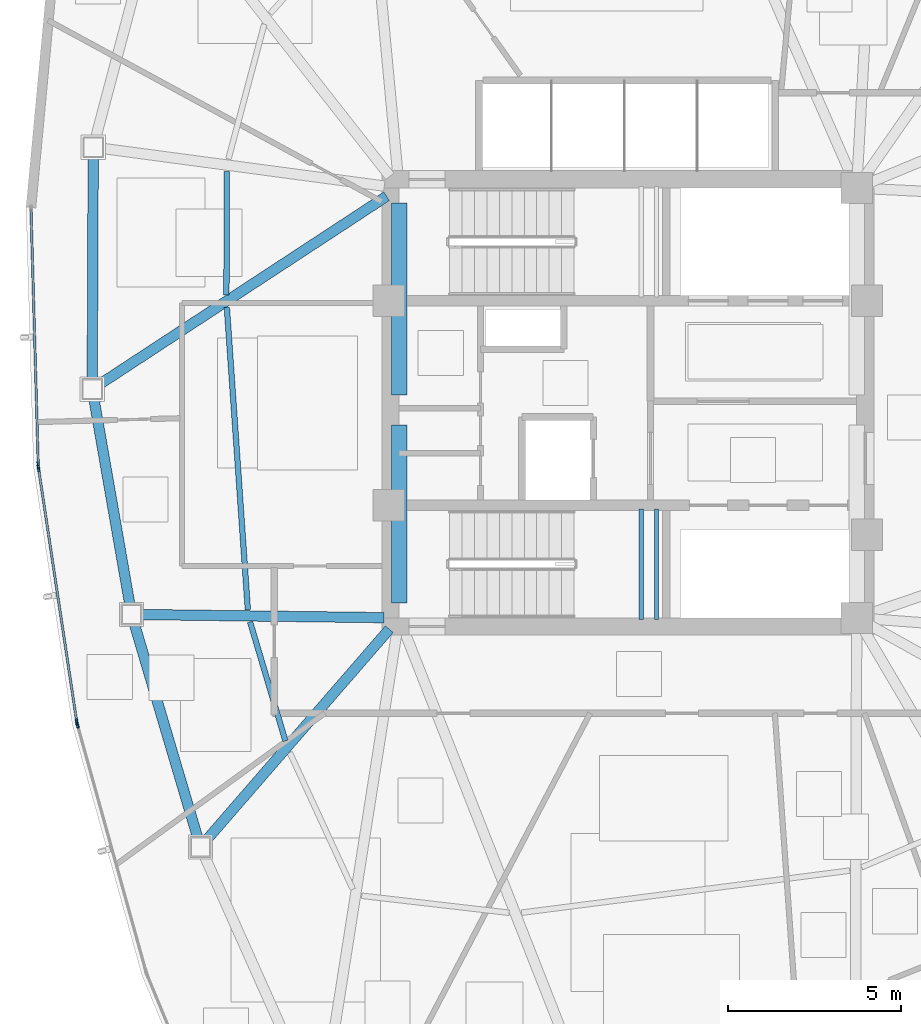
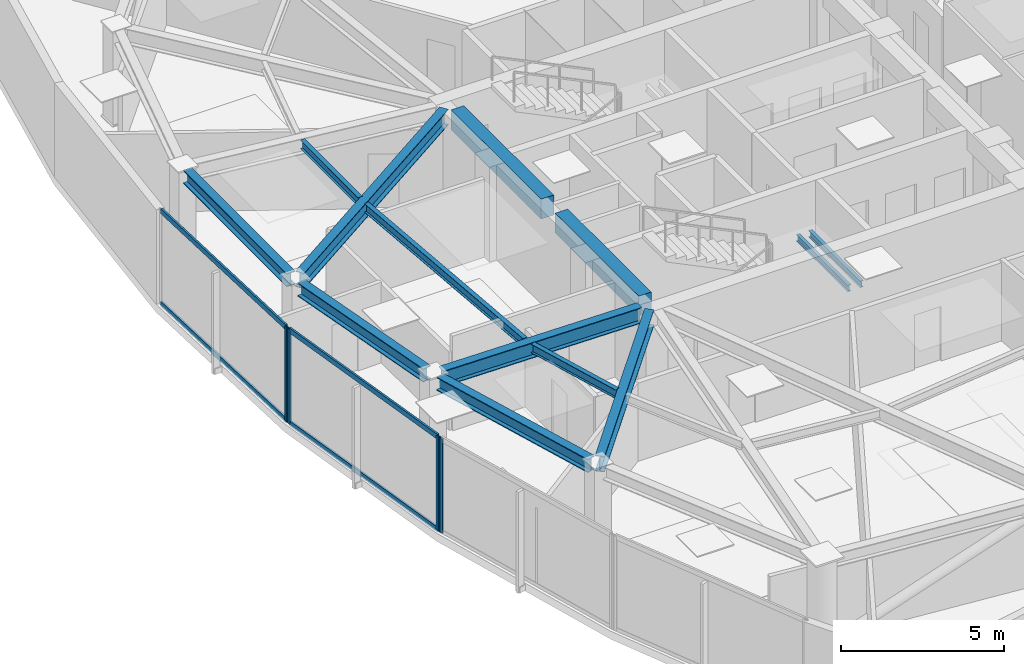
# One storey, part 4 of 18: 13 beams, 8 members, 3 elements without a shape of their own.
"""IFC4 building model written with IfcOpenShell, lengths in metres."""

import ifcopenshell
import ifcopenshell.guid

model = None  # the IFC model being written
_history = None  # IfcOwnerHistory: only IFC2X3 demands one
_inside = {}  # id of a spatial element -> (the spatial element, [elements in it])
_under = {}  # id of a project, library or spatial element -> (it, [spatial elements below it])
_declared = {}  # id of a project -> (the project, [libraries it declares])
_typed = {}  # id of a type object -> (the type object, [elements of that type])
_made_of = {}  # id of a material, layer set ... -> (it, [elements and type objects made of it])


def new_model(schema):
    """Start an empty IFC model of exactly this schema.

    Asked for "IFC4X3", IfcOpenShell would pick the latest addendum, in which some entities
    have other attributes; the version numbers below select the first issue.
    IFC2X3 requires an IfcOwnerHistory on every rooted entity: one is made here for all.
    """
    global model, _history
    if schema == "IFC4X3":
        model = ifcopenshell.file(schema_version=(4, 3, 0, 0))
    else:
        model = ifcopenshell.file(schema=schema)
    _inside.clear()
    _under.clear()
    _declared.clear()
    _typed.clear()
    _made_of.clear()
    _history = None
    if model.schema == "IFC2X3":
        org = make("IfcOrganization", Name="unknown")
        user = make(
            "IfcPersonAndOrganization",
            ThePerson=make("IfcPerson", FamilyName="unknown"),
            TheOrganization=org,
        )
        app = make(
            "IfcApplication",
            ApplicationDeveloper=org,
            Version="unknown",
            ApplicationFullName="unknown",
            ApplicationIdentifier="unknown",
        )
        _history = make(
            "IfcOwnerHistory",
            OwningUser=user,
            OwningApplication=app,
            ChangeAction="ADDED",
            CreationDate=0,
        )
    return model


def make(cls, **values):
    """One entity of the class cls with the attributes given. An attribute that is None is left unset."""
    return model.create_entity(
        cls, **{name: value for name, value in values.items() if value is not None}
    )


def rooted(cls, **values):
    """An entity with a GlobalId (a new one), such as an element, a storey or a relation."""
    return make(cls, GlobalId=ifcopenshell.guid.new(), OwnerHistory=_history, **values)


def si_unit(unit_type, name, prefix=None):
    """IfcSIUnit, for example si_unit("LENGTHUNIT", "METRE", prefix="MILLI")."""
    return make("IfcSIUnit", UnitType=unit_type, Prefix=prefix, Name=name)


def assignment(units):
    """IfcUnitAssignment: the units of a project."""
    return None if units is None else make("IfcUnitAssignment", Units=units)


def point(xyz):
    """IfcCartesianPoint."""
    return None if xyz is None else make("IfcCartesianPoint", Coordinates=xyz)


def direction(xyz):
    """IfcDirection."""
    return None if xyz is None else make("IfcDirection", DirectionRatios=xyz)


def frame(location, z_axis=None, x_axis=None):
    """IfcAxis2Placement3D, a coordinate frame: its origin and axes. An axis left out is left unset."""
    return make(
        "IfcAxis2Placement3D",
        Location=point(location),
        Axis=direction(z_axis),
        RefDirection=direction(x_axis),
    )


def frame_2d(location, x_axis=None):
    """IfcAxis2Placement2D, a coordinate frame in the plane: its origin and x axis."""
    return make(
        "IfcAxis2Placement2D", Location=point(location), RefDirection=direction(x_axis)
    )


def origin():
    """The frame at (0, 0, 0) with its axes left unset."""
    return frame((0.0, 0.0, 0.0))


def origin_2d():
    """The frame at (0, 0) in the plane with its x axis left unset."""
    return frame_2d((0.0, 0.0))


def place(relative_to, where):
    """IfcLocalPlacement: puts the frame where relative to a parent placement (None: the world)."""
    return make(
        "IfcLocalPlacement", PlacementRelTo=relative_to, RelativePlacement=where
    )


def context(
    kind, dimensions, precision=None, world=None, true_north=None, identifier=None
):
    """IfcGeometricRepresentationContext, for example the 3D "Model" context."""
    return make(
        "IfcGeometricRepresentationContext",
        ContextIdentifier=identifier,
        ContextType=kind,
        CoordinateSpaceDimension=dimensions,
        Precision=precision,
        WorldCoordinateSystem=world,
        TrueNorth=true_north,
    )


def subcontext(parent, identifier, kind, view, scale=None):
    """IfcGeometricRepresentationSubContext, for example "Body" below "Model"."""
    return make(
        "IfcGeometricRepresentationSubContext",
        ContextIdentifier=identifier,
        ContextType=kind,
        ParentContext=parent,
        TargetScale=scale,
        TargetView=view,
    )


def project(units=None, contexts=None):
    """IfcProject with its units and contexts."""
    return rooted(
        "IfcProject",
        Name="project",
        RepresentationContexts=contexts,
        UnitsInContext=assignment(units),
    )


def spatial(cls, under=None, at=None, **own):
    """A site, building, storey or space (cls), placed at a placement, below another one or the project."""
    s = rooted(cls, ObjectPlacement=at, **own)
    if under is not None:
        _under.setdefault(under.id(), (under, []))[1].append(s)
    return s


def profile(cls, at=None, kind="AREA", **sizes):
    """A parametric profile (cls). Its sizes go by their IFC names, for example OverallWidth=200.0."""
    return make(cls, ProfileType=kind, Position=at, **sizes)


def rectangle(**sizes):
    """IfcRectangleProfileDef."""
    return profile("IfcRectangleProfileDef", **sizes)


def hollow_rectangle(**sizes):
    """IfcRectangleHollowProfileDef."""
    return profile("IfcRectangleHollowProfileDef", **sizes)


def i_section(**sizes):
    """IfcIShapeProfileDef."""
    return profile("IfcIShapeProfileDef", **sizes)


def extrude(swept, where, along, depth):
    """IfcExtrudedAreaSolid: the profile swept, set in the frame where, extruded along a direction by depth."""
    return make(
        "IfcExtrudedAreaSolid",
        SweptArea=swept,
        Position=where,
        ExtrudedDirection=direction(along),
        Depth=depth,
    )


def shape(context_of_items, identifier, shape_type, items):
    """IfcShapeRepresentation: the items that make up one representation, for example the "Body"."""
    return make(
        "IfcShapeRepresentation",
        ContextOfItems=context_of_items,
        RepresentationIdentifier=identifier,
        RepresentationType=shape_type,
        Items=items,
    )


def source(mapping_origin, context_of_items, identifier, shape_type, items):
    """IfcRepresentationMap: a shape defined once, which mapped items show again and again."""
    return make(
        "IfcRepresentationMap",
        MappingOrigin=mapping_origin,
        MappedRepresentation=shape(context_of_items, identifier, shape_type, items),
    )


def transform(
    local_origin,
    x_axis=None,
    y_axis=None,
    z_axis=None,
    scale=None,
    scale2=None,
    scale3=None,
    uniform=True,
):
    """IfcCartesianTransformationOperator3D, or its non-uniform kind. x_axis, y_axis, z_axis: its Axis1, 2, 3."""
    if uniform:
        return make(
            "IfcCartesianTransformationOperator3D",
            Axis1=direction(x_axis),
            Axis2=direction(y_axis),
            LocalOrigin=point(local_origin),
            Scale=scale,
            Axis3=direction(z_axis),
        )
    return make(
        "IfcCartesianTransformationOperator3DnonUniform",
        Axis1=direction(x_axis),
        Axis2=direction(y_axis),
        LocalOrigin=point(local_origin),
        Scale=scale,
        Axis3=direction(z_axis),
        Scale2=scale2,
        Scale3=scale3,
    )


def mapped(mapping_source, mapping_target):
    """IfcMappedItem: shows the shape of a source again, moved by a transform."""
    return make(
        "IfcMappedItem", MappingSource=mapping_source, MappingTarget=mapping_target
    )


def material(Name=None, Category=None):
    """IfcMaterial."""
    return make("IfcMaterial", Name=Name, Category=Category)


def layer(
    of_material, thickness, ventilated=None, Name=None, Category=None, Priority=None
):
    """IfcMaterialLayer: one layer of a wall or slab, of a material (None: an air gap)."""
    return make(
        "IfcMaterialLayer",
        Material=of_material,
        LayerThickness=thickness,
        IsVentilated=ventilated,
        Name=Name,
        Category=Category,
        Priority=Priority,
    )


def layer_set(layers, Name=None):
    """IfcMaterialLayerSet."""
    return make("IfcMaterialLayerSet", MaterialLayers=layers, LayerSetName=Name)


def material_profile(
    of_material, cross_section, Name=None, Category=None, Priority=None
):
    """IfcMaterialProfile: a cross section and its material."""
    return make(
        "IfcMaterialProfile",
        Name=Name,
        Material=of_material,
        Profile=cross_section,
        Priority=Priority,
        Category=Category,
    )


def profile_set(profiles, Name=None, composite=None):
    """IfcMaterialProfileSet."""
    return make(
        "IfcMaterialProfileSet",
        Name=Name,
        MaterialProfiles=profiles,
        CompositeProfile=composite,
    )


def made_of(thing, what):
    """Note that an element or type object is made of a material, layer set ...; save() writes the relation."""
    if what is not None:
        _made_of.setdefault(what.id(), (what, []))[1].append(thing)
    return thing


def type_object(cls, material=None, **own):
    """A type object (cls), such as IfcWallType, which elements share."""
    return made_of(rooted(cls, **own), material)


def type_shapes(of_type, sources):
    """Give a type object the sources (RepresentationMaps) that its elements show as mapped items."""
    of_type.RepresentationMaps = sources


def element(
    cls,
    number,
    at=None,
    inside=None,
    cuts=None,
    type_object=None,
    material=None,
    context=None,
    identifier="Body",
    shape_type=None,
    held_by="IfcProductDefinitionShape",
    body=None,
    shapes=None,
    **own,
):
    """One element of the class cls, such as IfcWall. Its Tag is "e" and its number.

    at: its placement. inside: the storey or other place that contains it. cuts: it is an
    opening in that element (IfcRelVoidsElement). A single representation is given by context,
    identifier, shape_type and body (its items); several are given by shapes. held_by: the class
    of the entity that holds the representations. save() writes the other relations.
    """
    e = rooted(cls, Tag="e%d" % number, ObjectPlacement=at, **own)
    if body is not None:
        shapes = [shape(context, identifier, shape_type, body)]
    if shapes is not None:
        e.Representation = make(held_by, Representations=shapes)
    if inside is not None:
        _inside.setdefault(inside.id(), (inside, []))[1].append(e)
    if cuts is not None:
        rooted(
            "IfcRelVoidsElement", RelatingBuildingElement=cuts, RelatedOpeningElement=e
        )
    if type_object is not None:
        _typed.setdefault(type_object.id(), (type_object, []))[1].append(e)
    return made_of(e, material)


def aggregate(whole, parts):
    """IfcRelAggregates: a whole, such as a stair, and the parts it consists of."""
    return rooted("IfcRelAggregates", RelatingObject=whole, RelatedObjects=parts)


def save(model, path):
    """Write the relations noted so far, then the file.

    IfcRelAggregates (storeys below a building ...), IfcRelContainedInSpatialStructure (elements
    in a storey), IfcRelDefinesByType, IfcRelAssociatesMaterial and IfcRelDeclares: one each for
    every whole, place, type object, material and project.
    """
    for whole, parts in _under.values():
        aggregate(whole, parts)
    for where, things in _inside.values():
        rooted(
            "IfcRelContainedInSpatialStructure",
            RelatedElements=things,
            RelatingStructure=where,
        )
    for kind, things in _typed.values():
        rooted("IfcRelDefinesByType", RelatedObjects=things, RelatingType=kind)
    for what, things in _made_of.values():
        rooted("IfcRelAssociatesMaterial", RelatedObjects=things, RelatingMaterial=what)
    for by, libraries in _declared.values():
        rooted("IfcRelDeclares", RelatingContext=by, RelatedDefinitions=libraries)
    model.write(path)


model = new_model("IFC4")

# Units and contexts
model_context = context("Model", 3, precision=1e-05, world=origin(), true_north=direction((0.0, 1.0)))
body_context = subcontext(model_context, "Body", "Model", "MODEL_VIEW")
ifc_project = project(units=[si_unit("LENGTHUNIT", "METRE"), si_unit("AREAUNIT", "SQUARE_METRE"), si_unit("VOLUMEUNIT", "CUBIC_METRE"), si_unit("PLANEANGLEUNIT", "RADIAN"), si_unit("MASSUNIT", "GRAM", prefix="KILO")], contexts=[model_context])

# Site, building, storey
site_placement = place(None, origin())
site = spatial("IfcSite", under=ifc_project, at=site_placement, CompositionType="ELEMENT")
building_placement = place(site_placement, origin())
building = spatial("IfcBuilding", under=site, at=building_placement, Name="Tavelor Broadcast Tower", CompositionType="ELEMENT")
storey_placement = place(building_placement, frame((0.0, 0.0, 181.050048828125)))
storey = spatial("IfcBuildingStorey", under=building, at=storey_placement, Name="L43", CompositionType="ELEMENT", Elevation=181.050048828125)

# Beams
ifc_material_1 = material(Name="Concrete C40/50", Category="concrete")
ifc_material_profile_1 = material_profile(ifc_material_1, rectangle(XDim=0.449951171875, YDim=0.75, at=origin_2d()), Name="RC 450x750")
ifc_profile_set_1 = profile_set([ifc_material_profile_1], Name="Concrete C40/50")
beam_type_1 = type_object("IfcBeamType", Name="Basement Core Trim Beam 450x750", PredefinedType="BEAM", material=ifc_profile_set_1)
beam_1_placement = place(storey_placement, frame((43.39990234375, 45.23193359375, 3.175048828125), z_axis=(0.0, 1.0, 0.0), x_axis=(-1.0, 0.0, 0.0)))
element("IfcBeam", 1, at=beam_1_placement, inside=storey, type_object=beam_type_1, Name="L43 Core West-N Tie Girder", PredefinedType="BEAM", context=body_context, shape_type="SweptSolid", body=[
    extrude(rectangle(XDim=0.449951171875, YDim=0.75, at=origin_2d()), origin(), (0.0, 0.0, 1.0), 5.5361328125),
])
beam_2_placement = place(storey_placement, frame((43.39990234375, 39.23193359375, 3.175048828125), z_axis=(0.0, 1.0, 0.0), x_axis=(-1.0, 0.0, 0.0)))
element("IfcBeam", 2, at=beam_2_placement, inside=storey, type_object=beam_type_1, Name="L43 Core West-S Tie Girder", PredefinedType="BEAM", context=body_context, shape_type="SweptSolid", body=[
    extrude(rectangle(XDim=0.449951171875, YDim=0.75, at=origin_2d()), origin(), (0.0, 0.0, 1.0), 5.135986328125),
])
ifc_material_2 = material(Name="Steel S355", Category="steel")
ifc_material_profile_2 = material_profile(ifc_material_2, i_section(OverallWidth=0.159912109375, OverallDepth=0.330078125, WebThickness=0.007568359375, FlangeThickness=0.011474609375, at=origin_2d()), Name="IPE 330")
ifc_profile_set_2 = profile_set([ifc_material_profile_2], Name="Steel S355")
beam_type_2 = type_object("IfcBeamType", Name="Composite Floor Joist T4 IPE 330", PredefinedType="JOIST", material=ifc_profile_set_2)
beam_3_placement = place(storey_placement, frame((38.428955078125, 51.68310546875, 3.385009765625), z_axis=(-0.002943579799, -0.99999566766, 0.0), x_axis=(0.99999566766, -0.002943579799, 0.0)))
element("IfcBeam", 3, at=beam_3_placement, inside=storey, type_object=beam_type_2, Name="L43 Secondary Composite Floor Joist 03", PredefinedType="JOIST", context=body_context, shape_type="SweptSolid", body=[
    extrude(i_section(OverallWidth=0.159912109375, OverallDepth=0.330078125, WebThickness=0.007568359375, FlangeThickness=0.011474609375, at=origin_2d()), origin(), (0.0, 0.0, 1.0), 3.56640625),
])
beam_4_placement = place(storey_placement, frame((38.430419921875, 47.755126953125, 3.385009765625), z_axis=(0.069281460066, -0.997597152808, 0.0), x_axis=(0.997597152808, 0.069281460066, 0.0)))
element("IfcBeam", 4, at=beam_4_placement, inside=storey, type_object=beam_type_2, Name="L43 Secondary Composite Floor Joist 04", PredefinedType="JOIST", context=body_context, shape_type="SweptSolid", body=[
    extrude(i_section(OverallWidth=0.159912109375, OverallDepth=0.330078125, WebThickness=0.007568359375, FlangeThickness=0.011474609375, at=origin_2d()), origin(), (0.0, 0.0, 1.0), 8.7392578125),
])
beam_5_placement = place(storey_placement, frame((39.10009765625, 38.682861328125, 3.385009765625), z_axis=(0.284738295298, -0.958605290613, 0.0), x_axis=(0.958605290613, 0.284738295298, 0.0)))
element("IfcBeam", 5, at=beam_5_placement, inside=storey, type_object=beam_type_2, Name="L43 Secondary Composite Floor Joist 05", PredefinedType="JOIST", context=body_context, shape_type="SweptSolid", body=[
    extrude(i_section(OverallWidth=0.159912109375, OverallDepth=0.330078125, WebThickness=0.007568359375, FlangeThickness=0.011474609375, at=origin_2d()), origin(), (0.0, 0.0, 1.0), 3.58056640625),
])
ifc_material_profile_3 = material_profile(ifc_material_2, i_section(OverallWidth=0.300048828125, OverallDepth=0.5, WebThickness=0.014404296875, FlangeThickness=0.028076171875, at=origin_2d()), Name="HEB 500")
ifc_profile_set_3 = profile_set([ifc_material_profile_3], Name="Steel S355")
beam_type_3 = type_object("IfcBeamType", Name="Perimeter Spandrel Beam T4 HEB 500", PredefinedType="SPANDREL", material=ifc_profile_set_3)
beam_6_placement = place(storey_placement, frame((34.573974609375, 52.09130859375, 3.300048828125), z_axis=(-0.004117073981, -0.999991524815, 0.0), x_axis=(0.999991524815, -0.004117073981, 0.0)))
element("IfcBeam", 6, at=beam_6_placement, inside=storey, type_object=beam_type_3, Name="L43 Framed-Tube Ring Spandrel 03", PredefinedType="SPANDREL", context=body_context, shape_type="SweptSolid", body=[
    extrude(i_section(OverallWidth=0.300048828125, OverallDepth=0.5, WebThickness=0.014404296875, FlangeThickness=0.028076171875, at=origin_2d()), origin(), (0.0, 0.0, 1.0), 6.404296875),
])
beam_7_placement = place(storey_placement, frame((34.595947265625, 45.115478515625, 3.300048828125), z_axis=(0.171987908601, -0.985099060651, 0.0), x_axis=(0.985099060651, 0.171987908601, 0.0)))
element("IfcBeam", 7, at=beam_7_placement, inside=storey, type_object=beam_type_3, Name="L43 Framed-Tube Ring Spandrel 04", PredefinedType="SPANDREL", context=body_context, shape_type="SweptSolid", body=[
    extrude(i_section(OverallWidth=0.300048828125, OverallDepth=0.5, WebThickness=0.014404296875, FlangeThickness=0.028076171875, at=origin_2d()), origin(), (0.0, 0.0, 1.0), 6.021728515625),
])
beam_8_placement = place(storey_placement, frame((35.7626953125, 38.623779296875, 3.300048828125), z_axis=(0.283962764381, -0.958835308301, 0.0), x_axis=(0.958835308301, 0.283962764381, 0.0)))
element("IfcBeam", 8, at=beam_8_placement, inside=storey, type_object=beam_type_3, Name="L43 Framed-Tube Ring Spandrel 05", PredefinedType="SPANDREL", context=body_context, shape_type="SweptSolid", body=[
    extrude(i_section(OverallWidth=0.300048828125, OverallDepth=0.5, WebThickness=0.014404296875, FlangeThickness=0.028076171875, at=origin_2d()), origin(), (0.0, 0.0, 1.0), 6.421630859375),
])
ifc_material_profile_4 = material_profile(ifc_material_2, i_section(OverallWidth=0.300048828125, OverallDepth=0.590087890625, WebThickness=0.012939453125, FlangeThickness=0.02490234375, at=origin_2d()), Name="HEA 600")
ifc_profile_set_4 = profile_set([ifc_material_profile_4], Name="Steel S355")
beam_type_4 = type_object("IfcBeamType", Name="Radial Floor Girder T4 HEA 600", PredefinedType="BEAM", material=ifc_profile_set_4)
beam_9_placement = place(storey_placement, frame((43.038818359375, 50.963134765625, 3.2548828125), z_axis=(-0.83645565271, -0.548034616652, 0.0), x_axis=(0.548034616652, -0.83645565271, 0.0)))
element("IfcBeam", 9, at=beam_9_placement, inside=storey, type_object=beam_type_4, Name="L43 Radial Primary Floor Girder 04", PredefinedType="BEAM", context=body_context, shape_type="SweptSolid", body=[
    extrude(i_section(OverallWidth=0.300048828125, OverallDepth=0.590087890625, WebThickness=0.012939453125, FlangeThickness=0.02490234375, at=origin_2d()), origin(), (0.0, 0.0, 1.0), 9.86474609375),
])
beam_10_placement = place(storey_placement, frame((42.968017578125, 38.8056640625, 3.2548828125), z_axis=(-0.99991627243, 0.012940175006, 0.0), x_axis=(-0.012940175006, -0.99991627243, 0.0)))
element("IfcBeam", 10, at=beam_10_placement, inside=storey, type_object=beam_type_4, Name="L43 Radial Primary Floor Girder 05", PredefinedType="BEAM", context=body_context, shape_type="SweptSolid", body=[
    extrude(i_section(OverallWidth=0.300048828125, OverallDepth=0.590087890625, WebThickness=0.012939453125, FlangeThickness=0.02490234375, at=origin_2d()), origin(), (0.0, 0.0, 1.0), 6.99951171875),
])
beam_11_placement = place(storey_placement, frame((43.116943359375, 38.4736328125, 3.2548828125), z_axis=(-0.655167826376, -0.755483367972, 0.0), x_axis=(0.755483367972, -0.655167826376, 0.0)))
element("IfcBeam", 11, at=beam_11_placement, inside=storey, type_object=beam_type_4, Name="L43 Radial Primary Floor Girder 06", PredefinedType="BEAM", context=body_context, shape_type="SweptSolid", body=[
    extrude(i_section(OverallWidth=0.300048828125, OverallDepth=0.590087890625, WebThickness=0.012939453125, FlangeThickness=0.02490234375, at=origin_2d()), origin(), (0.0, 0.0, 1.0), 8.02880859375),
])
ifc_material_profile_5 = material_profile(ifc_material_2, i_section(OverallWidth=0.1201171875, OverallDepth=0.239990234375, WebThickness=0.006103515625, FlangeThickness=0.009765625, at=origin_2d()), Name="IPE 240")
ifc_profile_set_5 = profile_set([ifc_material_profile_5], Name="Steel S355")
beam_type_5 = type_object("IfcBeamType", Name="Stairwell Landing Support Trimmer Beam IPE240", PredefinedType="BEAM", material=ifc_profile_set_5)
for number, where, z_axis, x_axis, name in (
    (12, (50.385009765625, 38.760009765625, 1.60986328125), (0.0, 1.0, 0.0), (-1.0, 0.0, 0.0), "L43 Stair Landing Support Beam 333"),
    (13, (50.824951171875, 38.760009765625, 1.60986328125), (0.0, 1.0, 0.0), (-1.0, 0.0, 0.0), "L43 Stair Landing Support Beam 334"),
):
    element("IfcBeam", number, at=place(storey_placement, frame(where, z_axis=z_axis, x_axis=x_axis)), inside=storey, type_object=beam_type_5, Name=name, PredefinedType="BEAM", context=body_context, shape_type="SweptSolid", body=[
        extrude(i_section(OverallWidth=0.1201171875, OverallDepth=0.239990234375, WebThickness=0.006103515625, FlangeThickness=0.009765625, at=origin_2d()), origin(), (0.0, 0.0, 1.0), 3.179931640625),
    ])

# Curtain wall, member
ifc_material_3 = material(Name="Architectural Anodized Aluminium", Category="aluminium")
ifc_layer = layer(ifc_material_3, 0.18994140625)
ifc_layer_set = layer_set([ifc_layer], Name="Architectural Anodized Aluminium")
curtain_wall_type = type_object("IfcCurtainWallType", Name="Tower Mid-Zone Acoustic Curtain Wall CW03", PredefinedType="NOTDEFINED", material=ifc_layer_set)
curtain_wall_1_placement = place(storey_placement, origin())
curtain_wall_1 = element("IfcCurtainWall", 14, at=curtain_wall_1_placement, inside=storey, type_object=curtain_wall_type, Name="L43 Curtain Wall CW03 Run 457", PredefinedType="NOTDEFINED")
ifc_material_profile_6 = material_profile(ifc_material_3, hollow_rectangle(XDim=0.068115234375, YDim=0.18994140625, WallThickness=0.02197265625, at=origin_2d()), Name="RHS 68x190x22")
ifc_profile_set_6 = profile_set([ifc_material_profile_6], Name="Architectural Anodized Aluminium")
member_type_1 = type_object("IfcMemberType", Name="CW03 Extruded Aluminium Mullion 68x190", PredefinedType="MULLION", material=ifc_profile_set_6)
shared_shape_1 = source(origin(), body_context, "Body", "SweptSolid", [
    extrude(hollow_rectangle(XDim=0.068115234375, YDim=0.18994140625, WallThickness=0.02197265625, at=origin_2d()), origin(), (0.0, 0.0, 1.0), 3.550048828125),
])
type_shapes(member_type_1, [shared_shape_1])
member_1_placement = place(storey_placement, frame((32.989013671875, 43.209716796875, 0.0), z_axis=(0.0, 0.0, 1.0), x_axis=(0.999597840402, 0.028357670277, 0.0)))
member_1 = element("IfcMember", 15, at=member_1_placement, type_object=member_type_1, Name="CW03 mullion 2", PredefinedType="MULLION", context=body_context, shape_type="MappedRepresentation", body=[
    mapped(shared_shape_1, transform((0.0, 0.0, 0.0), scale=1.0)),
])

# Curtain wall, members
curtain_wall_2_placement = place(storey_placement, origin())
curtain_wall_2 = element("IfcCurtainWall", 16, at=curtain_wall_2_placement, inside=storey, type_object=curtain_wall_type, Name="L43 Curtain Wall CW03 Run 458", PredefinedType="NOTDEFINED")
member_2_placement = place(storey_placement, frame((32.99755859375, 43.112060546875, 0.0), z_axis=(0.0, 0.0, 1.0), x_axis=(0.988820285256, 0.149112184167, 0.0)))
member_2 = element("IfcMember", 17, at=member_2_placement, type_object=member_type_1, Name="CW03 mullion 1", PredefinedType="MULLION", context=body_context, shape_type="MappedRepresentation", body=[
    mapped(shared_shape_1, transform((0.0, 0.0, 0.0), scale=1.0)),
])
member_3_placement = place(storey_placement, frame((34.099365234375, 35.805419921875, 0.0), z_axis=(0.0, 0.0, 1.0), x_axis=(0.988820285256, 0.149112184167, 0.0)))
member_3 = element("IfcMember", 18, at=member_3_placement, type_object=member_type_1, Name="CW03 mullion 2", PredefinedType="MULLION", context=body_context, shape_type="MappedRepresentation", body=[
    mapped(shared_shape_1, transform((0.0, 0.0, 0.0), scale=1.0)),
])

# Curtain wall, member
curtain_wall_3_placement = place(storey_placement, origin())
curtain_wall_3 = element("IfcCurtainWall", 19, at=curtain_wall_3_placement, inside=storey, type_object=curtain_wall_type, Name="L43 Curtain Wall CW03 Run 459", PredefinedType="NOTDEFINED")
member_4_placement = place(storey_placement, frame((34.119873046875, 35.709716796875, 0.0), z_axis=(0.0, 0.0, 1.0), x_axis=(0.963512530345, 0.267663228459, 0.0)))
member_4 = element("IfcMember", 20, at=member_4_placement, type_object=member_type_1, Name="CW03 mullion 1", PredefinedType="MULLION", context=body_context, shape_type="MappedRepresentation", body=[
    mapped(shared_shape_1, transform((0.0, 0.0, 0.0), scale=1.0)),
])
aggregate(curtain_wall_3, [member_4])

# Member
ifc_material_profile_7 = material_profile(ifc_material_3, hollow_rectangle(XDim=0.068115234375, YDim=0.18994140625, WallThickness=0.02197265625, at=origin_2d()), Name="RHS 68x190x22")
ifc_profile_set_7 = profile_set([ifc_material_profile_7], Name="Architectural Anodized Aluminium")
member_type_2 = type_object("IfcMemberType", Name="CW03 Extruded Aluminium Transom 68x190", PredefinedType="USERDEFINED", material=ifc_profile_set_7)
shared_shape_2 = source(origin(), body_context, "Body", "SweptSolid", [
    extrude(hollow_rectangle(XDim=0.068115234375, YDim=0.18994140625, WallThickness=0.02197265625, at=origin_2d()), origin(), (0.0, 0.0, 1.0), 7.33642578125),
])
member_5_placement = place(storey_placement, frame((32.780029296875, 50.5771484375, 0.033935546875), z_axis=(0.028352669315, -0.999597982262, 0.0), x_axis=(0.999597982262, 0.028352669315, 0.0)))
member_5 = element("IfcMember", 21, at=member_5_placement, type_object=member_type_2, Name="CW03 transom 1.1", ObjectType="TRANSOM", PredefinedType="USERDEFINED", context=body_context, shape_type="MappedRepresentation", body=[
    mapped(shared_shape_2, transform((0.0, 0.0, 0.0), scale=1.0)),
])

member_6_placement = place(storey_placement, frame((32.780029296875, 50.5771484375, 3.515869140625), z_axis=(0.028352669315, -0.999597982262, 0.0), x_axis=(0.999597982262, 0.028352669315, 0.0)))
member_6 = element("IfcMember", 22, at=member_6_placement, type_object=member_type_2, Name="CW03 transom 1.2", ObjectType="TRANSOM", PredefinedType="USERDEFINED", context=body_context, shape_type="MappedRepresentation", body=[
    mapped(shared_shape_2, transform((0.0, 0.0, 0.0), scale=1.0)),
])

aggregate(curtain_wall_1, [member_1, member_5, member_6])

shared_shape_3 = source(origin(), body_context, "Body", "SweptSolid", [
    extrude(hollow_rectangle(XDim=0.068115234375, YDim=0.18994140625, WallThickness=0.02197265625, at=origin_2d()), origin(), (0.0, 0.0, 1.0), 7.321533203125),
])
type_shapes(member_type_2, [shared_shape_2, shared_shape_3])
member_7_placement = place(storey_placement, frame((33.002685546875, 43.07861328125, 0.033935546875), z_axis=(0.149119820787, -0.988819133638, 0.0), x_axis=(0.988819133638, 0.149119820787, 0.0)))
member_7 = element("IfcMember", 23, at=member_7_placement, type_object=member_type_2, Name="CW03 transom 1.1", ObjectType="TRANSOM", PredefinedType="USERDEFINED", context=body_context, shape_type="MappedRepresentation", body=[
    mapped(shared_shape_3, transform((0.0, 0.0, 0.0), scale=1.0)),
])

member_8_placement = place(storey_placement, frame((33.002685546875, 43.07861328125, 3.515869140625), z_axis=(0.149119820787, -0.988819133638, 0.0), x_axis=(0.988819133638, 0.149119820787, 0.0)))
member_8 = element("IfcMember", 24, at=member_8_placement, type_object=member_type_2, Name="CW03 transom 1.2", ObjectType="TRANSOM", PredefinedType="USERDEFINED", context=body_context, shape_type="MappedRepresentation", body=[
    mapped(shared_shape_3, transform((0.0, 0.0, 0.0), scale=1.0)),
])

aggregate(curtain_wall_2, [member_2, member_3, member_7, member_8])

save(model, "model.ifc")
